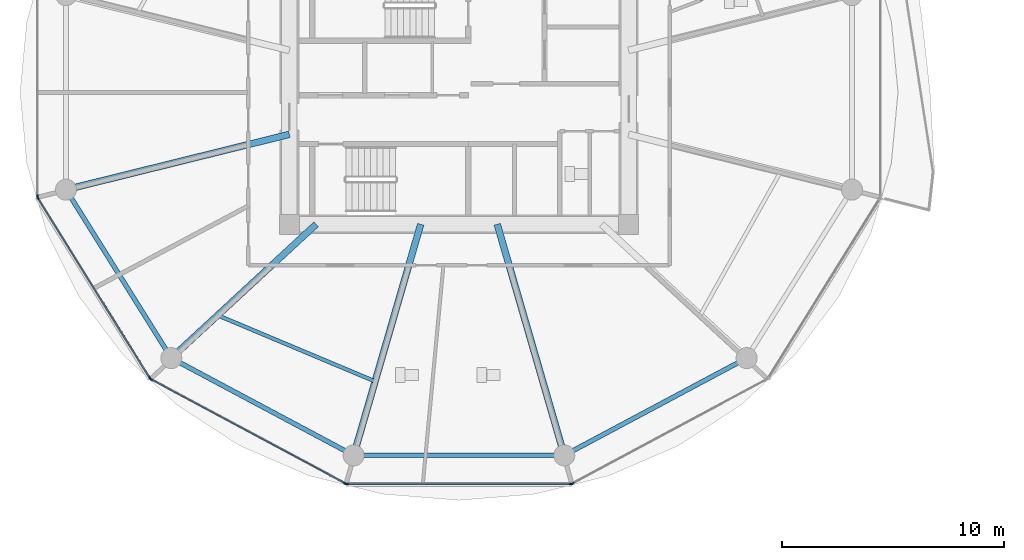
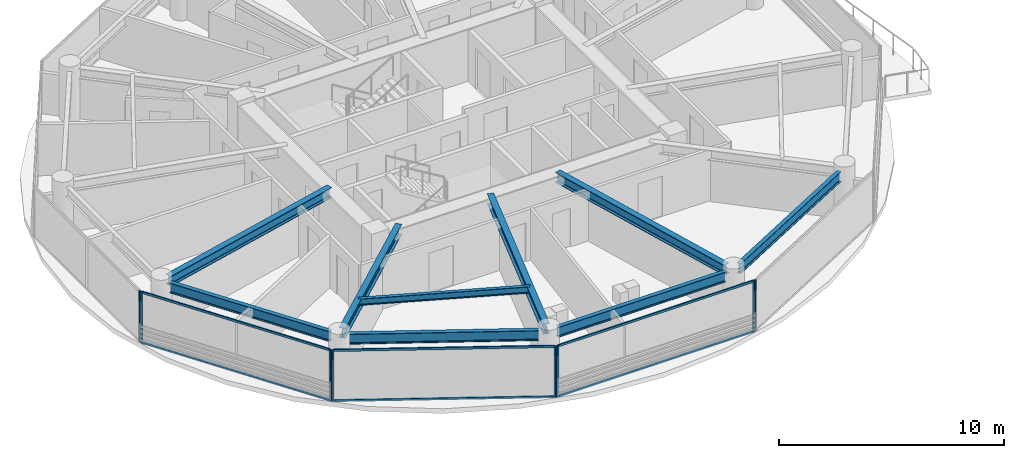
# One storey, part 2 of 26: 14 members, 9 beams, 5 elements without a shape of their own.
"""IFC4 building model written with IfcOpenShell, lengths in metres."""

from ifc_helpers import new_model, si_unit, direction, frame, origin, origin_2d, place, context, subcontext, project, spatial, rectangle, i_section, extrude, source, transform, mapped, material, layer, layer_set, material_profile, profile_set, type_object, type_shapes, element, aggregate, save


model = new_model("IFC4")

# Units and contexts
model_context = context("Model", 3, precision=1e-05, world=origin(), true_north=direction((0.0, 1.0)))
body_context = subcontext(model_context, "Body", "Model", "MODEL_VIEW")
ifc_project = project(units=[si_unit("LENGTHUNIT", "METRE"), si_unit("AREAUNIT", "SQUARE_METRE"), si_unit("VOLUMEUNIT", "CUBIC_METRE"), si_unit("PLANEANGLEUNIT", "RADIAN"), si_unit("MASSUNIT", "GRAM", prefix="KILO")], contexts=[model_context])

# Site, building, storey
site_placement = place(None, origin())
site = spatial("IfcSite", under=ifc_project, at=site_placement, CompositionType="ELEMENT")
building_placement = place(site_placement, origin())
building = spatial("IfcBuilding", under=site, at=building_placement, Name="Norrkilde Senior Care Towers", CompositionType="ELEMENT")
storey_placement = place(building_placement, frame((0.0, 0.0, 67.35009765625)))
storey = spatial("IfcBuildingStorey", under=building, at=storey_placement, Name="L20", CompositionType="ELEMENT", Elevation=67.35009765625)

# Beams
ifc_material_1 = material(Name="Steel S355", Category="steel")
ifc_material_profile_1 = material_profile(ifc_material_1, i_section(OverallWidth=0.2099609375, OverallDepth=0.550048828125, WebThickness=0.010986328125, FlangeThickness=0.01708984375, FilletRadius=0.02392578125, at=origin_2d()), Name="IPE 550")
ifc_profile_set_1 = profile_set([ifc_material_profile_1], Name="Steel S355")
beam_type_1 = type_object("IfcBeamType", Name="Perimeter Ring Spandrel Z1 IPE550", PredefinedType="SPANDREL", material=ifc_profile_set_1)
shared_shape_1 = source(origin(), body_context, "Body", "SweptSolid", [
    extrude(i_section(OverallWidth=0.2099609375, OverallDepth=0.550048828125, WebThickness=0.010986328125, FlangeThickness=0.01708984375, FilletRadius=0.02392578125, at=origin_2d()), origin(), (0.0, 0.0, 1.0), 8.090576171875),
])
beam_1_placement = place(storey_placement, frame((-45.494140625, -4.755859375, 2.514892578125), z_axis=(0.530004364821, -0.84799491347, 0.0), x_axis=(0.84799491347, 0.530004364821, 0.0)))
element("IfcBeam", 1, at=beam_1_placement, inside=storey, type_object=beam_type_1, Name="L20 Drum W Perimeter Spandrel 07", PredefinedType="SPANDREL", context=body_context, shape_type="MappedRepresentation", body=[
    mapped(shared_shape_1, transform((0.0, 0.0, 0.0), x_axis=(1.0, 0.0, 0.0), y_axis=(0.0, 1.0, 0.0), z_axis=(0.0, 0.0, 1.0), scale=1.0)),
])
ifc_material_profile_2 = material_profile(ifc_material_1, i_section(OverallWidth=0.300048828125, OverallDepth=0.550048828125, WebThickness=0.014892578125, FlangeThickness=0.029052734375, FilletRadius=0.027099609375, at=origin_2d()), Name="HEB 550")
ifc_profile_set_2 = profile_set([ifc_material_profile_2], Name="Steel S355")
beam_type_2 = type_object("IfcBeamType", Name="Radial Floor Beam Z1 HEB550", PredefinedType="BEAM", material=ifc_profile_set_2)
shared_shape_2 = source(origin(), body_context, "Body", "SweptSolid", [
    extrude(i_section(OverallWidth=0.300048828125, OverallDepth=0.550048828125, WebThickness=0.014892578125, FlangeThickness=0.029052734375, FilletRadius=0.027099609375, at=origin_2d()), origin(), (0.0, 0.0, 1.0), 9.94384765625),
])
beam_2_placement = place(storey_placement, frame((-35.64990234375, -1.893310546875, 2.514892578125), z_axis=(-0.970707425182, -0.240264634718, 0.0), x_axis=(0.240264634718, -0.970707425182, 0.0)))
element("IfcBeam", 2, at=beam_2_placement, inside=storey, type_object=beam_type_2, Name="L20 Drum W Radial Floor Beam 07", PredefinedType="BEAM", context=body_context, shape_type="MappedRepresentation", body=[
    mapped(shared_shape_2, transform((0.0, 0.0, 0.0), x_axis=(1.0, 0.0, 0.0), y_axis=(0.0, 1.0, 0.0), z_axis=(0.0, 0.0, 1.0), scale=1.0)),
])
shared_shape_3 = source(origin(), body_context, "Body", "SweptSolid", [
    extrude(i_section(OverallWidth=0.2099609375, OverallDepth=0.550048828125, WebThickness=0.010986328125, FlangeThickness=0.01708984375, FilletRadius=0.02392578125, at=origin_2d()), origin(), (0.0, 0.0, 1.0), 8.452880859375),
])
for number, where, z_axis, x_axis, name in (
    (3, (-40.591552734375, -12.190185546875, 2.514892578125), (0.882368931134, -0.470558252898, 0.0), (0.470558252898, 0.882368931134, 0.0), "L20 Drum W Perimeter Spandrel 08"),
    (4, (-22.866943359375, -16.167724609375, 2.514892578125), (0.882368931134, 0.470558252898, 0.0), (-0.470558252898, 0.882368931134, 0.0), "L20 Drum W Perimeter Spandrel 10"),
):
    element("IfcBeam", number, at=place(storey_placement, frame(where, z_axis=z_axis, x_axis=x_axis)), inside=storey, type_object=beam_type_1, Name=name, PredefinedType="SPANDREL", context=body_context, shape_type="MappedRepresentation", body=[
        mapped(shared_shape_3, transform((0.0, 0.0, 0.0), x_axis=(1.0, 0.0, 0.0), y_axis=(0.0, 1.0, 0.0), z_axis=(0.0, 0.0, 1.0), scale=1.0)),
    ])
shared_shape_4 = source(origin(), body_context, "Body", "SweptSolid", [
    extrude(i_section(OverallWidth=0.300048828125, OverallDepth=0.550048828125, WebThickness=0.014892578125, FlangeThickness=0.029052734375, FilletRadius=0.027099609375, at=origin_2d()), origin(), (0.0, 0.0, 1.0), 8.459716796875),
])
beam_3_placement = place(storey_placement, frame((-34.44140625, -5.949951171875, 2.514892578125), z_axis=(-0.734573269108, -0.678529374686, 0.0), x_axis=(0.678529374686, -0.734573269108, 0.0)))
element("IfcBeam", 5, at=beam_3_placement, inside=storey, type_object=beam_type_2, Name="L20 Drum W Radial Floor Beam 08", PredefinedType="BEAM", context=body_context, shape_type="MappedRepresentation", body=[
    mapped(shared_shape_4, transform((0.0, 0.0, 0.0), x_axis=(1.0, 0.0, 0.0), y_axis=(0.0, 1.0, 0.0), z_axis=(0.0, 0.0, 1.0), scale=1.0)),
])
shared_shape_5 = source(origin(), body_context, "Body", "SweptSolid", [
    extrude(i_section(OverallWidth=0.2099609375, OverallDepth=0.550048828125, WebThickness=0.010986328125, FlangeThickness=0.01708984375, FilletRadius=0.02392578125, at=origin_2d()), origin(), (0.0, 0.0, 1.0), 8.62841796875),
])
type_shapes(beam_type_1, [shared_shape_1, shared_shape_3, shared_shape_5])
beam_4_placement = place(storey_placement, frame((-32.314208984375, -16.37255859375, 2.514892578125), z_axis=(1.0, 0.0, 0.0), x_axis=(0.0, 1.0, 0.0)))
element("IfcBeam", 6, at=beam_4_placement, inside=storey, type_object=beam_type_1, Name="L20 Drum W Perimeter Spandrel 09", PredefinedType="SPANDREL", context=body_context, shape_type="MappedRepresentation", body=[
    mapped(shared_shape_5, transform((0.0, 0.0, 0.0), x_axis=(1.0, 0.0, 0.0), y_axis=(0.0, 1.0, 0.0), z_axis=(0.0, 0.0, 1.0), scale=1.0)),
])
shared_shape_6 = source(origin(), body_context, "Body", "SweptSolid", [
    extrude(i_section(OverallWidth=0.300048828125, OverallDepth=0.550048828125, WebThickness=0.014892578125, FlangeThickness=0.029052734375, FilletRadius=0.027099609375, at=origin_2d()), origin(), (0.0, 0.0, 1.0), 10.4169921875),
])
type_shapes(beam_type_2, [shared_shape_2, shared_shape_4, shared_shape_6])
for number, where, z_axis, x_axis, name in (
    (7, (-29.72607421875, -5.949951171875, 2.514892578125), (-0.278591250785, -0.960409764104, 0.0), (0.960409764104, -0.278591250785, 0.0), "L20 Drum W Radial Floor Beam 09"),
    (8, (-26.27392578125, -5.949951171875, 2.514892578125), (0.278591250785, -0.960409764104, 0.0), (0.960409764104, 0.278591250785, 0.0), "L20 Drum W Radial Floor Beam 10"),
):
    element("IfcBeam", number, at=place(storey_placement, frame(where, z_axis=z_axis, x_axis=x_axis)), inside=storey, type_object=beam_type_2, Name=name, PredefinedType="BEAM", context=body_context, shape_type="MappedRepresentation", body=[
        mapped(shared_shape_6, transform((0.0, 0.0, 0.0), x_axis=(1.0, 0.0, 0.0), y_axis=(0.0, 1.0, 0.0), z_axis=(0.0, 0.0, 1.0), scale=1.0)),
    ])
ifc_material_profile_3 = material_profile(ifc_material_1, i_section(OverallWidth=0.169921875, OverallDepth=0.360107421875, WebThickness=0.008056640625, FlangeThickness=0.0126953125, FilletRadius=0.01806640625, at=origin_2d()), Name="IPE 360")
ifc_profile_set_3 = profile_set([ifc_material_profile_3], Name="Steel S355")
beam_type_3 = type_object("IfcBeamType", Name="Secondary Floor Joist IPE360", PredefinedType="JOIST", material=ifc_profile_set_3)
shared_shape_7 = source(origin(), body_context, "Body", "SweptSolid", [
    extrude(i_section(OverallWidth=0.169921875, OverallDepth=0.360107421875, WebThickness=0.008056640625, FlangeThickness=0.0126953125, FilletRadius=0.01806640625, at=origin_2d()), origin(), (0.0, 0.0, 1.0), 7.703857421875),
])
type_shapes(beam_type_3, [shared_shape_7])
beam_5_placement = place(storey_placement, frame((-38.884521484375, -10.05419921875, 2.60986328125), z_axis=(0.921982784465, -0.387230868023, 0.0), x_axis=(0.387230868023, 0.921982784465, 0.0)))
element("IfcBeam", 9, at=beam_5_placement, inside=storey, type_object=beam_type_3, Name="L20 Drum W Secondary Floor Joist 3", PredefinedType="JOIST", context=body_context, shape_type="MappedRepresentation", body=[
    mapped(shared_shape_7, transform((0.0, 0.0, 0.0), x_axis=(1.0, 0.0, 0.0), y_axis=(0.0, 1.0, 0.0), z_axis=(0.0, 0.0, 1.0), scale=1.0)),
])

# Curtain wall, member
ifc_material_2 = material(Name="Triple Low-E Insulated Glazing", Category="glass")
ifc_layer = layer(ifc_material_2, 0.199951171875)
ifc_layer_set = layer_set([ifc_layer], Name="Triple Low-E Insulated Glazing")
curtain_wall_type = type_object("IfcCurtainWallType", Name="CW2 Zone 1 Memory Care Curtain Wall", PredefinedType="NOTDEFINED", material=ifc_layer_set)
curtain_wall_1_placement = place(storey_placement, origin())
curtain_wall_1 = element("IfcCurtainWall", 10, at=curtain_wall_1_placement, inside=storey, type_object=curtain_wall_type, Name="L20 Drum W Curtain Wall 05", PredefinedType="NOTDEFINED")
ifc_material_3 = material(Name="Anodised Aluminium", Category="aluminium")
ifc_material_profile_4 = material_profile(ifc_material_3, rectangle(XDim=0.06494140625, YDim=0.159912109375, at=origin_2d()), Name="ALU MULL 65x160")
ifc_profile_set_4 = profile_set([ifc_material_profile_4], Name="Anodised Aluminium")
member_type_1 = type_object("IfcMemberType", Name="Curtain Wall Mullion Z1-Z2 65x160", PredefinedType="MULLION", material=ifc_profile_set_4)
shared_shape_8 = source(origin(), body_context, "Body", "SweptSolid", [
    extrude(rectangle(XDim=0.06494140625, YDim=0.159912109375, at=origin_2d()), origin(), (0.0, 0.0, 1.0), 2.789794921875),
])
type_shapes(member_type_1, [shared_shape_8])
member_1_placement = place(storey_placement, frame((-47.009521484375, -4.69873046875, 0.0), z_axis=(0.0, 0.0, 1.0), x_axis=(-1.0, 0.0, 0.0)))
member_1 = element("IfcMember", 11, at=member_1_placement, type_object=member_type_1, Name="CW-2 mullion 1", PredefinedType="MULLION", context=body_context, shape_type="MappedRepresentation", body=[
    mapped(shared_shape_8, transform((0.0, 0.0, 0.0), x_axis=(1.0, 0.0, 0.0), y_axis=(0.0, 1.0, 0.0), z_axis=(0.0, 0.0, 1.0), scale=1.0)),
])
aggregate(curtain_wall_1, [member_1])

# Curtain wall, members
curtain_wall_2_placement = place(storey_placement, origin())
curtain_wall_2 = element("IfcCurtainWall", 12, at=curtain_wall_2_placement, inside=storey, type_object=curtain_wall_type, Name="L20 Drum W Curtain Wall 06", PredefinedType="NOTDEFINED")
member_2_placement = place(storey_placement, frame((-41.93310546875, -12.898193359375, 0.0), z_axis=(0.0, 0.0, 1.0), x_axis=(-0.849305943117, -0.527900951871, 0.0)))
member_2 = element("IfcMember", 13, at=member_2_placement, type_object=member_type_1, Name="CW-2 mullion 1", PredefinedType="MULLION", context=body_context, shape_type="MappedRepresentation", body=[
    mapped(shared_shape_8, transform((0.0, 0.0, 0.0), x_axis=(1.0, 0.0, 0.0), y_axis=(0.0, 1.0, 0.0), z_axis=(0.0, 0.0, 1.0), scale=1.0)),
])
member_3_placement = place(storey_placement, frame((-46.9921875, -4.7587890625, 0.0), z_axis=(0.0, 0.0, 1.0), x_axis=(-0.849305943117, -0.527900951871, 0.0)))
member_3 = element("IfcMember", 14, at=member_3_placement, type_object=member_type_1, Name="CW-2 mullion 2", PredefinedType="MULLION", context=body_context, shape_type="MappedRepresentation", body=[
    mapped(shared_shape_8, transform((0.0, 0.0, 0.0), x_axis=(1.0, 0.0, 0.0), y_axis=(0.0, 1.0, 0.0), z_axis=(0.0, 0.0, 1.0), scale=1.0)),
])

curtain_wall_3_placement = place(storey_placement, origin())
curtain_wall_3 = element("IfcCurtainWall", 15, at=curtain_wall_3_placement, inside=storey, type_object=curtain_wall_type, Name="L20 Drum W Curtain Wall 07", PredefinedType="NOTDEFINED")
member_4_placement = place(storey_placement, frame((-33.122314453125, -17.641845703125, 0.0), z_axis=(0.0, 0.0, 1.0), x_axis=(-0.472607802456, -0.881272866403, 0.0)))
member_4 = element("IfcMember", 16, at=member_4_placement, type_object=member_type_1, Name="CW-2 mullion 1", PredefinedType="MULLION", context=body_context, shape_type="MappedRepresentation", body=[
    mapped(shared_shape_8, transform((0.0, 0.0, 0.0), x_axis=(1.0, 0.0, 0.0), y_axis=(0.0, 1.0, 0.0), z_axis=(0.0, 0.0, 1.0), scale=1.0)),
])
member_5_placement = place(storey_placement, frame((-41.88720703125, -12.941162109375, 0.0), z_axis=(0.0, 0.0, 1.0), x_axis=(-0.472607802456, -0.881272866403, 0.0)))
member_5 = element("IfcMember", 17, at=member_5_placement, type_object=member_type_1, Name="CW-2 mullion 2", PredefinedType="MULLION", context=body_context, shape_type="MappedRepresentation", body=[
    mapped(shared_shape_8, transform((0.0, 0.0, 0.0), x_axis=(1.0, 0.0, 0.0), y_axis=(0.0, 1.0, 0.0), z_axis=(0.0, 0.0, 1.0), scale=1.0)),
])

curtain_wall_4_placement = place(storey_placement, origin())
curtain_wall_4 = element("IfcCurtainWall", 18, at=curtain_wall_4_placement, inside=storey, type_object=curtain_wall_type, Name="L20 Drum W Curtain Wall 08", PredefinedType="NOTDEFINED")
member_6_placement = place(storey_placement, frame((-22.93896484375, -17.6572265625, 0.0), z_axis=(0.0, 0.0, 1.0), x_axis=(0.0, -1.0, 0.0)))
member_6 = element("IfcMember", 19, at=member_6_placement, type_object=member_type_1, Name="CW-2 mullion 1", PredefinedType="MULLION", context=body_context, shape_type="MappedRepresentation", body=[
    mapped(shared_shape_8, transform((0.0, 0.0, 0.0), x_axis=(1.0, 0.0, 0.0), y_axis=(0.0, 1.0, 0.0), z_axis=(0.0, 0.0, 1.0), scale=1.0)),
])
member_7_placement = place(storey_placement, frame((-33.06103515625, -17.6572265625, 0.0), z_axis=(0.0, 0.0, 1.0), x_axis=(0.0, -1.0, 0.0)))
member_7 = element("IfcMember", 20, at=member_7_placement, type_object=member_type_1, Name="CW-2 mullion 2", PredefinedType="MULLION", context=body_context, shape_type="MappedRepresentation", body=[
    mapped(shared_shape_8, transform((0.0, 0.0, 0.0), x_axis=(1.0, 0.0, 0.0), y_axis=(0.0, 1.0, 0.0), z_axis=(0.0, 0.0, 1.0), scale=1.0)),
])

# Curtain wall, member
curtain_wall_5_placement = place(storey_placement, origin())
curtain_wall_5 = element("IfcCurtainWall", 21, at=curtain_wall_5_placement, inside=storey, type_object=curtain_wall_type, Name="L20 Drum W Curtain Wall 09", PredefinedType="NOTDEFINED")
member_8_placement = place(storey_placement, frame((-22.877685546875, -17.641845703125, 0.0), z_axis=(0.0, 0.0, 1.0), x_axis=(0.472607802456, -0.881272866403, 0.0)))
member_8 = element("IfcMember", 22, at=member_8_placement, type_object=member_type_1, Name="CW-2 mullion 2", PredefinedType="MULLION", context=body_context, shape_type="MappedRepresentation", body=[
    mapped(shared_shape_8, transform((0.0, 0.0, 0.0), x_axis=(1.0, 0.0, 0.0), y_axis=(0.0, 1.0, 0.0), z_axis=(0.0, 0.0, 1.0), scale=1.0)),
])
aggregate(curtain_wall_5, [member_8])

# Member
ifc_material_profile_5 = material_profile(ifc_material_3, rectangle(XDim=0.06005859375, YDim=0.1201171875, at=origin_2d()), Name="ALU TRAN 60x120")
ifc_profile_set_5 = profile_set([ifc_material_profile_5], Name="Anodised Aluminium")
member_type_2 = type_object("IfcMemberType", Name="Curtain Wall Transom Typical 60x120", PredefinedType="USERDEFINED", material=ifc_profile_set_5)
shared_shape_9 = source(origin(), body_context, "Body", "SweptSolid", [
    extrude(rectangle(XDim=0.06005859375, YDim=0.1201171875, at=origin_2d()), origin(), (0.0, 0.0, 1.0), 9.5185546875),
])
member_9_placement = place(storey_placement, frame((-41.9501953125, -12.87060546875, 0.02978515625), z_axis=(-0.527901620669, 0.849305527413, 0.0), x_axis=(-0.849305527413, -0.527901620669, 0.0)))
member_9 = element("IfcMember", 23, at=member_9_placement, type_object=member_type_2, Name="CW-2 transom 1.1", ObjectType="TRANSOM", PredefinedType="USERDEFINED", context=body_context, shape_type="MappedRepresentation", body=[
    mapped(shared_shape_9, transform((0.0, 0.0, 0.0), x_axis=(1.0, 0.0, 0.0), y_axis=(0.0, 1.0, 0.0), z_axis=(0.0, 0.0, 1.0), scale=1.0)),
])

member_10_placement = place(storey_placement, frame((-41.9501953125, -12.87060546875, 2.760009765625), z_axis=(-0.527901620669, 0.849305527413, 0.0), x_axis=(-0.849305527413, -0.527901620669, 0.0)))
member_10 = element("IfcMember", 24, at=member_10_placement, type_object=member_type_2, Name="CW-2 transom 1.2", ObjectType="TRANSOM", PredefinedType="USERDEFINED", context=body_context, shape_type="MappedRepresentation", body=[
    mapped(shared_shape_9, transform((0.0, 0.0, 0.0), x_axis=(1.0, 0.0, 0.0), y_axis=(0.0, 1.0, 0.0), z_axis=(0.0, 0.0, 1.0), scale=1.0)),
])

aggregate(curtain_wall_2, [member_2, member_3, member_9, member_10])

shared_shape_10 = source(origin(), body_context, "Body", "SweptSolid", [
    extrude(rectangle(XDim=0.06005859375, YDim=0.1201171875, at=origin_2d()), origin(), (0.0, 0.0, 1.0), 9.880859375),
])
member_11_placement = place(storey_placement, frame((-33.15087890625, -17.62646484375, 0.02978515625), z_axis=(-0.881267204043, 0.47261836092, 0.0), x_axis=(-0.47261836092, -0.881267204043, 0.0)))
member_11 = element("IfcMember", 25, at=member_11_placement, type_object=member_type_2, Name="CW-2 transom 1.1", ObjectType="TRANSOM", PredefinedType="USERDEFINED", context=body_context, shape_type="MappedRepresentation", body=[
    mapped(shared_shape_10, transform((0.0, 0.0, 0.0), x_axis=(1.0, 0.0, 0.0), y_axis=(0.0, 1.0, 0.0), z_axis=(0.0, 0.0, 1.0), scale=1.0)),
])

member_12_placement = place(storey_placement, frame((-33.15087890625, -17.62646484375, 2.760009765625), z_axis=(-0.881267204043, 0.47261836092, 0.0), x_axis=(-0.47261836092, -0.881267204043, 0.0)))
member_12 = element("IfcMember", 26, at=member_12_placement, type_object=member_type_2, Name="CW-2 transom 1.2", ObjectType="TRANSOM", PredefinedType="USERDEFINED", context=body_context, shape_type="MappedRepresentation", body=[
    mapped(shared_shape_10, transform((0.0, 0.0, 0.0), x_axis=(1.0, 0.0, 0.0), y_axis=(0.0, 1.0, 0.0), z_axis=(0.0, 0.0, 1.0), scale=1.0)),
])

aggregate(curtain_wall_3, [member_4, member_5, member_11, member_12])

shared_shape_11 = source(origin(), body_context, "Body", "SweptSolid", [
    extrude(rectangle(XDim=0.06005859375, YDim=0.1201171875, at=origin_2d()), origin(), (0.0, 0.0, 1.0), 10.05712890625),
])
type_shapes(member_type_2, [shared_shape_9, shared_shape_10, shared_shape_11])
member_13_placement = place(storey_placement, frame((-22.971435546875, -17.6572265625, 0.02978515625), z_axis=(-1.0, 0.0, 0.0), x_axis=(0.0, -1.0, 0.0)))
member_13 = element("IfcMember", 27, at=member_13_placement, type_object=member_type_2, Name="CW-2 transom 1.1", ObjectType="TRANSOM", PredefinedType="USERDEFINED", context=body_context, shape_type="MappedRepresentation", body=[
    mapped(shared_shape_11, transform((0.0, 0.0, 0.0), x_axis=(1.0, 0.0, 0.0), y_axis=(0.0, 1.0, 0.0), z_axis=(0.0, 0.0, 1.0), scale=1.0)),
])

member_14_placement = place(storey_placement, frame((-22.971435546875, -17.6572265625, 2.760009765625), z_axis=(-1.0, 0.0, 0.0), x_axis=(0.0, -1.0, 0.0)))
member_14 = element("IfcMember", 28, at=member_14_placement, type_object=member_type_2, Name="CW-2 transom 1.2", ObjectType="TRANSOM", PredefinedType="USERDEFINED", context=body_context, shape_type="MappedRepresentation", body=[
    mapped(shared_shape_11, transform((0.0, 0.0, 0.0), x_axis=(1.0, 0.0, 0.0), y_axis=(0.0, 1.0, 0.0), z_axis=(0.0, 0.0, 1.0), scale=1.0)),
])

aggregate(curtain_wall_4, [member_6, member_7, member_13, member_14])

save(model, "model.ifc")
